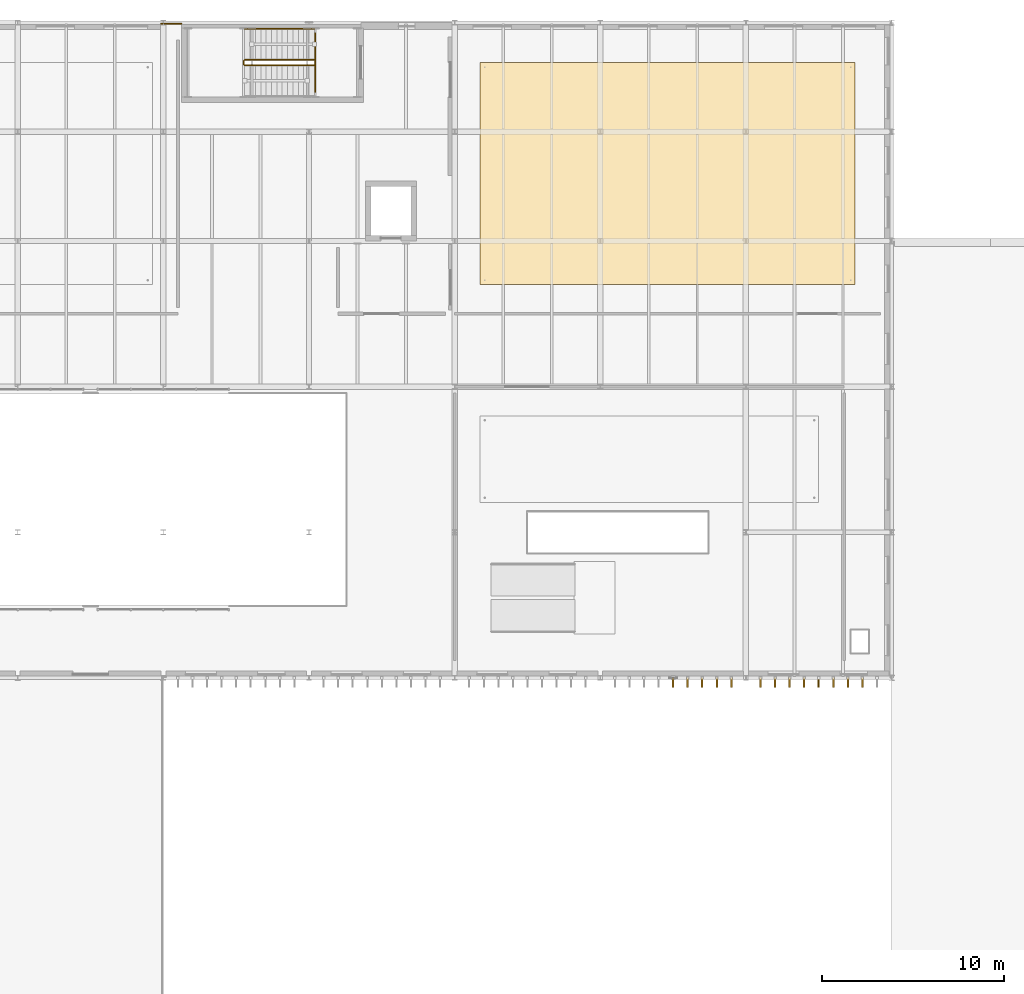
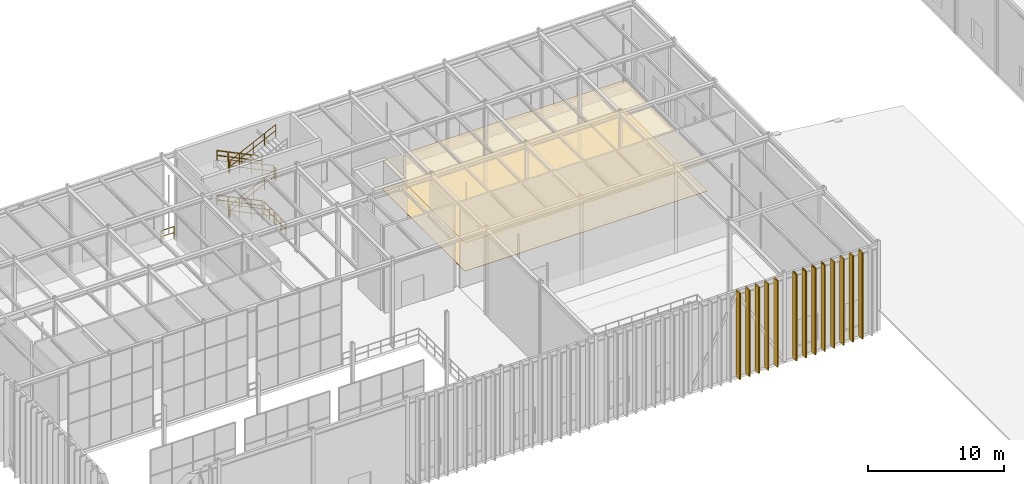
# One storey, part 132 of 138: 15 coverings, 13 railings, 13 shading devices.
"""IFC4 building model written with IfcOpenShell, lengths in metres."""

from ifc_helpers import new_model, si_unit, direction, frame, origin, origin_2d, place, context, subcontext, project, spatial, polyline, rectangle, circle, outline, extrude, material, layer, layer_set, type_object, element, save


model = new_model("IFC4")

# Units and contexts
model_context = context("Model", 3, precision=1e-05, world=origin(), true_north=direction((0.0, 1.0)))
body_context = subcontext(model_context, "Body", "Model", "MODEL_VIEW")
ifc_project = project(units=[si_unit("LENGTHUNIT", "METRE"), si_unit("AREAUNIT", "SQUARE_METRE"), si_unit("VOLUMEUNIT", "CUBIC_METRE"), si_unit("PLANEANGLEUNIT", "RADIAN"), si_unit("MASSUNIT", "GRAM", prefix="KILO")], contexts=[model_context])

# Site, building, storey
site_placement = place(None, origin())
site = spatial("IfcSite", under=ifc_project, at=site_placement, CompositionType="ELEMENT")
building_placement = place(site_placement, origin())
building = spatial("IfcBuilding", under=site, at=building_placement, Name="Sundkrona Museum", CompositionType="ELEMENT")
storey_placement = place(building_placement, frame((0.0, 0.0, 9.60009765625)))
storey = spatial("IfcBuildingStorey", under=building, at=storey_placement, Name="L02", CompositionType="ELEMENT", Elevation=9.60009765625)

# Coverings
ifc_material_1 = material(Name="Perforated Acoustic Gypsum and Mineral Wool Ceiling", Category="other")
ifc_layer_1 = layer(ifc_material_1, 0.0400390625)
ifc_layer_set_1 = layer_set([ifc_layer_1], Name="Perforated Acoustic Gypsum and Mineral Wool Ceiling")
covering_type_1 = type_object("IfcCoveringType", Name="COV-CEIL-AC", PredefinedType="CEILING", material=ifc_layer_set_1)
covering_1_placement = place(storey_placement, frame((0.0, 0.0, 2.5498046875)))
element("IfcCovering", 1, at=covering_1_placement, inside=storey, type_object=covering_type_1, Name="L02 Tapestry and Textile Gallery Acoustic Ceiling", PredefinedType="CEILING", context=body_context, shape_type="SweptSolid", body=[
    extrude(outline(polyline([(57.39990234375, 99.60009765625), (78.0, 99.60009765625), (78.0, 111.800048828125), (57.39990234375, 111.800048828125), (57.39990234375, 99.60009765625)])), origin(), (0.0, 0.0, 1.0), 0.0400390625),
])
ifc_material_2 = material(Name="Frost-Resistant Vitrified Stoneware Mosaic Cladding", Category="masonry")
ifc_layer_2 = layer(ifc_material_2, 0.044921875)
ifc_layer_set_2 = layer_set([ifc_layer_2], Name="Frost-Resistant Vitrified Stoneware Mosaic Cladding")
covering_type_2 = type_object("IfcCoveringType", Name="COV-CLD-MOS", PredefinedType="CLADDING", material=ifc_layer_set_2)
for number, where, z_axis, x_axis, name in (
    (2, (68.0, 77.7451171875, 0.0), (0.0, 0.0, 1.0), (1.0, 0.0, 0.0), "L02 Vitrified Ceramic Brise-Soleil Casing S-095"),
    (3, (68.800048828125, 77.7451171875, 0.0), (0.0, 0.0, 1.0), (1.0, 0.0, 0.0), "L02 Vitrified Ceramic Brise-Soleil Casing S-096"),
    (4, (69.60009765625, 77.7451171875, 0.0), (0.0, 0.0, 1.0), (1.0, 0.0, 0.0), "L02 Vitrified Ceramic Brise-Soleil Casing S-097"),
    (5, (70.39990234375, 77.7451171875, 0.0), (0.0, 0.0, 1.0), (1.0, 0.0, 0.0), "L02 Vitrified Ceramic Brise-Soleil Casing S-098"),
    (6, (71.199951171875, 77.7451171875, 0.0), (0.0, 0.0, 1.0), (1.0, 0.0, 0.0), "L02 Vitrified Ceramic Brise-Soleil Casing S-099"),
    (7, (72.800048828125, 77.7451171875, 0.0), (0.0, 0.0, 1.0), (1.0, 0.0, 0.0), "L02 Vitrified Ceramic Brise-Soleil Casing S-100"),
    (8, (73.60009765625, 77.7451171875, 0.0), (0.0, 0.0, 1.0), (1.0, 0.0, 0.0), "L02 Vitrified Ceramic Brise-Soleil Casing S-101"),
    (9, (74.39990234375, 77.7451171875, 0.0), (0.0, 0.0, 1.0), (1.0, 0.0, 0.0), "L02 Vitrified Ceramic Brise-Soleil Casing S-102"),
    (10, (75.199951171875, 77.7451171875, 0.0), (0.0, 0.0, 1.0), (1.0, 0.0, 0.0), "L02 Vitrified Ceramic Brise-Soleil Casing S-103"),
    (11, (76.0, 77.7451171875, 0.0), (0.0, 0.0, 1.0), (1.0, 0.0, 0.0), "L02 Vitrified Ceramic Brise-Soleil Casing S-104"),
    (12, (76.800048828125, 77.7451171875, 0.0), (0.0, 0.0, 1.0), (1.0, 0.0, 0.0), "L02 Vitrified Ceramic Brise-Soleil Casing S-105"),
    (13, (77.60009765625, 77.7451171875, 0.0), (0.0, 0.0, 1.0), (1.0, 0.0, 0.0), "L02 Vitrified Ceramic Brise-Soleil Casing S-106"),
    (14, (78.39990234375, 77.7451171875, 0.0), (0.0, 0.0, 1.0), (1.0, 0.0, 0.0), "L02 Vitrified Ceramic Brise-Soleil Casing S-107"),
):
    element("IfcCovering", number, at=place(storey_placement, frame(where, z_axis=z_axis, x_axis=x_axis)), inside=storey, type_object=covering_type_2, Name=name, PredefinedType="CLADDING", context=body_context, shape_type="SweptSolid", body=[
        extrude(rectangle(XDim=0.110107421875, YDim=0.530029296875, at=origin_2d()), origin(), (0.0, 0.0, 1.0), 7.760009765625),
    ])
ifc_material_3 = material(Name="Polished Scanian Limestone Terrazzo Flooring", Category="masonry")
ifc_layer_3 = layer(ifc_material_3, 0.034912109375)
ifc_layer_set_3 = layer_set([ifc_layer_3], Name="Polished Scanian Limestone Terrazzo Flooring")
covering_type_3 = type_object("IfcCoveringType", Name="COV-FLR-TZ", PredefinedType="FLOORING", material=ifc_layer_set_3)
covering_2_placement = place(storey_placement, origin())
element("IfcCovering", 15, at=covering_2_placement, inside=storey, type_object=covering_type_3, Name="L02 Tapestry and Textile Gallery Terrazzo Flooring", PredefinedType="FLOORING", context=body_context, shape_type="SweptSolid", body=[
    extrude(outline(polyline([(57.39990234375, 99.60009765625), (78.0, 99.60009765625), (78.0, 111.800048828125), (57.39990234375, 111.800048828125), (57.39990234375, 99.60009765625)])), origin(), (0.0, 0.0, 1.0), 0.034912109375),
])

# Shading devices
ifc_material_4 = material(Name="Vitrified Stoneware Ceramic on Galvanised Steel Core", Category="masonry")
ifc_layer_4 = layer(ifc_material_4, 0.080078125)
ifc_layer_set_4 = layer_set([ifc_layer_4], Name="Vitrified Stoneware Ceramic on Galvanised Steel Core")
shading_device_type = type_object("IfcShadingDeviceType", Name="FIN-CER-520", PredefinedType="USERDEFINED", material=ifc_layer_set_4)
for number, where, z_axis, x_axis, name in (
    (16, (68.0, 77.739990234375, 0.0), (0.0, 0.0, 1.0), (1.0, 0.0, 0.0), "L02 Ceramic Brise-Soleil Fin S-095"),
    (17, (68.800048828125, 77.739990234375, 0.0), (0.0, 0.0, 1.0), (1.0, 0.0, 0.0), "L02 Ceramic Brise-Soleil Fin S-096"),
    (18, (69.60009765625, 77.739990234375, 0.0), (0.0, 0.0, 1.0), (1.0, 0.0, 0.0), "L02 Ceramic Brise-Soleil Fin S-097"),
    (19, (70.39990234375, 77.739990234375, 0.0), (0.0, 0.0, 1.0), (1.0, 0.0, 0.0), "L02 Ceramic Brise-Soleil Fin S-098"),
    (20, (71.199951171875, 77.739990234375, 0.0), (0.0, 0.0, 1.0), (1.0, 0.0, 0.0), "L02 Ceramic Brise-Soleil Fin S-099"),
    (21, (72.800048828125, 77.739990234375, 0.0), (0.0, 0.0, 1.0), (1.0, 0.0, 0.0), "L02 Ceramic Brise-Soleil Fin S-100"),
    (22, (73.60009765625, 77.739990234375, 0.0), (0.0, 0.0, 1.0), (1.0, 0.0, 0.0), "L02 Ceramic Brise-Soleil Fin S-101"),
    (23, (74.39990234375, 77.739990234375, 0.0), (0.0, 0.0, 1.0), (1.0, 0.0, 0.0), "L02 Ceramic Brise-Soleil Fin S-102"),
    (24, (75.199951171875, 77.739990234375, 0.0), (0.0, 0.0, 1.0), (1.0, 0.0, 0.0), "L02 Ceramic Brise-Soleil Fin S-103"),
    (25, (76.0, 77.739990234375, 0.0), (0.0, 0.0, 1.0), (1.0, 0.0, 0.0), "L02 Ceramic Brise-Soleil Fin S-104"),
    (26, (76.800048828125, 77.739990234375, 0.0), (0.0, 0.0, 1.0), (1.0, 0.0, 0.0), "L02 Ceramic Brise-Soleil Fin S-105"),
    (27, (77.60009765625, 77.739990234375, 0.0), (0.0, 0.0, 1.0), (1.0, 0.0, 0.0), "L02 Ceramic Brise-Soleil Fin S-106"),
    (28, (78.39990234375, 77.739990234375, 0.0), (0.0, 0.0, 1.0), (1.0, 0.0, 0.0), "L02 Ceramic Brise-Soleil Fin S-107"),
):
    element("IfcShadingDevice", number, at=place(storey_placement, frame(where, z_axis=z_axis, x_axis=x_axis)), inside=storey, type_object=shading_device_type, Name=name, ObjectType="SOLAR FIN", PredefinedType="USERDEFINED", context=body_context, shape_type="SweptSolid", body=[
        extrude(rectangle(XDim=0.080078125, YDim=0.52001953125, at=origin_2d()), origin(), (0.0, 0.0, 1.0), 7.760009765625),
    ])

# Railings
ifc_material_5 = material(Name="Painted Steel S355J2 and Laminated Glass Balustrade", Category="steel")
railing_type_1 = type_object("IfcRailingType", Name="RL-GUARD-1100", PredefinedType="BALUSTRADE", material=ifc_material_5)
railing_1_placement = place(storey_placement, frame((48.300048828125, 111.949951171875, 0.142822265625)))
element("IfcRailing", 29, at=railing_1_placement, inside=storey, type_object=railing_type_1, Name="L02 ST-3 stair guard 1", PredefinedType="BALUSTRADE", context=body_context, shape_type="SweptSolid", body=[
    extrude(circle(Radius=0.02392578125, at=origin_2d()), frame((0.0, 0.0, 1.076171875), z_axis=(-0.900016444443, 0.0, 0.435855939195), x_axis=(0.0, -1.0, 0.0)), (0.0, 0.0, 1.0), 4.260986328125),
    extrude(circle(Radius=0.02392578125, at=origin_2d()), frame((0.0, 0.0, 0.550048828125), z_axis=(-0.900016444443, 0.0, 0.435855939195), x_axis=(0.0, -1.0, 0.0)), (0.0, 0.0, 1.0), 4.260986328125),
    extrude(circle(Radius=0.02099609375, at=origin_2d()), origin(), (0.0, 0.0, 1.0), 1.052001953125),
    extrude(circle(Radius=0.02099609375, at=origin_2d()), frame((-0.958740234375, 0.0, 0.46435546875)), (0.0, 0.0, 1.0), 1.052001953125),
    extrude(circle(Radius=0.02099609375, at=origin_2d()), frame((-1.91748046875, 0.0, 0.9287109375)), (0.0, 0.0, 1.0), 1.052001953125),
    extrude(circle(Radius=0.02099609375, at=origin_2d()), frame((-2.876220703125, 0.0, 1.392822265625)), (0.0, 0.0, 1.0), 1.052001953125),
    extrude(circle(Radius=0.02099609375, at=origin_2d()), frame((-3.8349609375, 0.0, 1.857177734375)), (0.0, 0.0, 1.0), 1.052001953125),
])
railing_2_placement = place(storey_placement, frame((44.4150390625, 111.89990234375, 2.0)))
element("IfcRailing", 30, at=railing_2_placement, inside=storey, type_object=railing_type_1, Name="L02 ST-3 stair guard 2", PredefinedType="BALUSTRADE", context=body_context, shape_type="SweptSolid", body=[
    extrude(circle(Radius=0.02392578125, at=origin_2d()), frame((0.0, 0.0, 1.076171875), z_axis=(0.0, -1.0, 0.0), x_axis=(1.0, 0.0, 0.0)), (0.0, 0.0, 1.0), 0.199951171875),
    extrude(circle(Radius=0.02392578125, at=origin_2d()), frame((0.0, 0.0, 0.550048828125), z_axis=(0.0, -1.0, 0.0), x_axis=(1.0, 0.0, 0.0)), (0.0, 0.0, 1.0), 0.199951171875),
    extrude(circle(Radius=0.02099609375, at=origin_2d()), origin(), (0.0, 0.0, 1.0), 1.052001953125),
    extrude(circle(Radius=0.02099609375, at=origin_2d()), frame((0.0, -0.199951171875, 0.0)), (0.0, 0.0, 1.0), 1.052001953125),
])
railing_3_placement = place(storey_placement, frame((44.465087890625, 111.64990234375, 2.142822265625)))
element("IfcRailing", 31, at=railing_3_placement, inside=storey, type_object=railing_type_1, Name="L02 ST-3 stair guard 3", PredefinedType="BALUSTRADE", context=body_context, shape_type="SweptSolid", body=[
    extrude(circle(Radius=0.02392578125, at=origin_2d()), frame((0.0, 0.0, 1.076171875), z_axis=(0.900016444443, 0.0, 0.435855939195), x_axis=(0.0, 1.0, 0.0)), (0.0, 0.0, 1.0), 4.260986328125),
    extrude(circle(Radius=0.02392578125, at=origin_2d()), frame((0.0, 0.0, 0.550048828125), z_axis=(0.900016444443, 0.0, 0.435855939195), x_axis=(0.0, 1.0, 0.0)), (0.0, 0.0, 1.0), 4.260986328125),
    extrude(circle(Radius=0.02099609375, at=origin_2d()), origin(), (0.0, 0.0, 1.0), 1.052001953125),
    extrude(circle(Radius=0.02099609375, at=origin_2d()), frame((0.958740234375, 0.0, 0.46435546875)), (0.0, 0.0, 1.0), 1.052001953125),
    extrude(circle(Radius=0.02099609375, at=origin_2d()), frame((1.91748046875, 0.0, 0.9287109375)), (0.0, 0.0, 1.0), 1.052001953125),
    extrude(circle(Radius=0.02099609375, at=origin_2d()), frame((2.876220703125, 0.0, 1.392822265625)), (0.0, 0.0, 1.0), 1.052001953125),
    extrude(circle(Radius=0.02099609375, at=origin_2d()), frame((3.8349609375, 0.0, 1.857177734375)), (0.0, 0.0, 1.0), 1.052001953125),
])
railing_4_placement = place(storey_placement, frame((48.35009765625, 111.89990234375, 4.0)))
element("IfcRailing", 32, at=railing_4_placement, inside=storey, type_object=railing_type_1, Name="L02 ST-3 stair guard 4", PredefinedType="BALUSTRADE", context=body_context, shape_type="SweptSolid", body=[
    extrude(circle(Radius=0.02392578125, at=origin_2d()), frame((0.0, 0.0, 1.076171875), z_axis=(0.0, -1.0, 0.0), x_axis=(1.0, 0.0, 0.0)), (0.0, 0.0, 1.0), 0.199951171875),
    extrude(circle(Radius=0.02392578125, at=origin_2d()), frame((0.0, 0.0, 0.550048828125), z_axis=(0.0, -1.0, 0.0), x_axis=(1.0, 0.0, 0.0)), (0.0, 0.0, 1.0), 0.199951171875),
    extrude(circle(Radius=0.02099609375, at=origin_2d()), origin(), (0.0, 0.0, 1.0), 1.052001953125),
    extrude(circle(Radius=0.02099609375, at=origin_2d()), frame((0.0, -0.199951171875, 0.0)), (0.0, 0.0, 1.0), 1.052001953125),
])
railing_5_placement = place(storey_placement, frame((48.300048828125, 111.949951171875, 4.142822265625)))
element("IfcRailing", 33, at=railing_5_placement, inside=storey, type_object=railing_type_1, Name="L02 ST-3 stair guard 5", PredefinedType="BALUSTRADE", context=body_context, shape_type="SweptSolid", body=[
    extrude(circle(Radius=0.02392578125, at=origin_2d()), frame((0.0, 0.0, 1.076171875), z_axis=(-0.900016444443, 0.0, 0.435855939195), x_axis=(0.0, -1.0, 0.0)), (0.0, 0.0, 1.0), 4.260986328125),
    extrude(circle(Radius=0.02392578125, at=origin_2d()), frame((0.0, 0.0, 0.550048828125), z_axis=(-0.900016444443, 0.0, 0.435855939195), x_axis=(0.0, -1.0, 0.0)), (0.0, 0.0, 1.0), 4.260986328125),
    extrude(circle(Radius=0.02099609375, at=origin_2d()), origin(), (0.0, 0.0, 1.0), 1.052001953125),
    extrude(circle(Radius=0.02099609375, at=origin_2d()), frame((-0.958740234375, 0.0, 0.46435546875)), (0.0, 0.0, 1.0), 1.052001953125),
    extrude(circle(Radius=0.02099609375, at=origin_2d()), frame((-1.91748046875, 0.0, 0.9287109375)), (0.0, 0.0, 1.0), 1.052001953125),
    extrude(circle(Radius=0.02099609375, at=origin_2d()), frame((-2.876220703125, 0.0, 1.392822265625)), (0.0, 0.0, 1.0), 1.052001953125),
    extrude(circle(Radius=0.02099609375, at=origin_2d()), frame((-3.8349609375, 0.0, 1.857177734375)), (0.0, 0.0, 1.0), 1.052001953125),
])
railing_6_placement = place(storey_placement, frame((44.4150390625, 111.89990234375, 6.0)))
element("IfcRailing", 34, at=railing_6_placement, inside=storey, type_object=railing_type_1, Name="L02 ST-3 stair guard 6", PredefinedType="BALUSTRADE", context=body_context, shape_type="SweptSolid", body=[
    extrude(circle(Radius=0.02392578125, at=origin_2d()), frame((0.0, 0.0, 1.076171875), z_axis=(0.0, -1.0, 0.0), x_axis=(1.0, 0.0, 0.0)), (0.0, 0.0, 1.0), 0.199951171875),
    extrude(circle(Radius=0.02392578125, at=origin_2d()), frame((0.0, 0.0, 0.550048828125), z_axis=(0.0, -1.0, 0.0), x_axis=(1.0, 0.0, 0.0)), (0.0, 0.0, 1.0), 0.199951171875),
    extrude(circle(Radius=0.02099609375, at=origin_2d()), origin(), (0.0, 0.0, 1.0), 1.052001953125),
    extrude(circle(Radius=0.02099609375, at=origin_2d()), frame((0.0, -0.199951171875, 0.0)), (0.0, 0.0, 1.0), 1.052001953125),
])
railing_7_placement = place(storey_placement, frame((44.465087890625, 111.64990234375, 6.142822265625)))
element("IfcRailing", 35, at=railing_7_placement, inside=storey, type_object=railing_type_1, Name="L02 ST-3 stair guard 7", PredefinedType="BALUSTRADE", context=body_context, shape_type="SweptSolid", body=[
    extrude(circle(Radius=0.02392578125, at=origin_2d()), frame((0.0, 0.0, 1.076171875), z_axis=(0.900016444443, 0.0, 0.435855939195), x_axis=(0.0, 1.0, 0.0)), (0.0, 0.0, 1.0), 4.260986328125),
    extrude(circle(Radius=0.02392578125, at=origin_2d()), frame((0.0, 0.0, 0.550048828125), z_axis=(0.900016444443, 0.0, 0.435855939195), x_axis=(0.0, 1.0, 0.0)), (0.0, 0.0, 1.0), 4.260986328125),
    extrude(circle(Radius=0.02099609375, at=origin_2d()), origin(), (0.0, 0.0, 1.0), 1.052001953125),
    extrude(circle(Radius=0.02099609375, at=origin_2d()), frame((0.958740234375, 0.0, 0.46435546875)), (0.0, 0.0, 1.0), 1.052001953125),
    extrude(circle(Radius=0.02099609375, at=origin_2d()), frame((1.91748046875, 0.0, 0.9287109375)), (0.0, 0.0, 1.0), 1.052001953125),
    extrude(circle(Radius=0.02099609375, at=origin_2d()), frame((2.876220703125, 0.0, 1.392822265625)), (0.0, 0.0, 1.0), 1.052001953125),
    extrude(circle(Radius=0.02099609375, at=origin_2d()), frame((3.8349609375, 0.0, 1.857177734375)), (0.0, 0.0, 1.0), 1.052001953125),
])
railing_8_placement = place(storey_placement, frame((48.35009765625, 111.89990234375, 0.0)))
element("IfcRailing", 36, at=railing_8_placement, inside=storey, type_object=railing_type_1, Name="L02 ST-3 stair guard 8", PredefinedType="BALUSTRADE", context=body_context, shape_type="SweptSolid", body=[
    extrude(circle(Radius=0.02392578125, at=origin_2d()), frame((0.0, 0.0, 1.076171875), z_axis=(0.0, -1.0, 0.0), x_axis=(1.0, 0.0, 0.0)), (0.0, 0.0, 1.0), 0.199951171875),
    extrude(circle(Radius=0.02392578125, at=origin_2d()), frame((0.0, 0.0, 0.550048828125), z_axis=(0.0, -1.0, 0.0), x_axis=(1.0, 0.0, 0.0)), (0.0, 0.0, 1.0), 0.199951171875),
    extrude(circle(Radius=0.02099609375, at=origin_2d()), origin(), (0.0, 0.0, 1.0), 1.052001953125),
    extrude(circle(Radius=0.02099609375, at=origin_2d()), frame((0.0, -0.199951171875, 0.0)), (0.0, 0.0, 1.0), 1.052001953125),
])
railing_9_placement = place(storey_placement, frame((39.867919921875, 113.93994140625, 0.0)))
element("IfcRailing", 37, at=railing_9_placement, inside=storey, type_object=railing_type_1, Name="L02 Edge Protection Balustrade 013", PredefinedType="BALUSTRADE", context=body_context, shape_type="SweptSolid", body=[
    extrude(circle(Radius=0.02392578125, at=origin_2d()), frame((0.0, 0.0, 1.09619140625), z_axis=(1.0, 0.0, 0.0), x_axis=(0.0, 1.0, 0.0)), (0.0, 0.0, 1.0), 1.132080078125),
    extrude(circle(Radius=0.02392578125, at=origin_2d()), frame((0.0, 0.0, 0.56005859375), z_axis=(1.0, 0.0, 0.0), x_axis=(0.0, 1.0, 0.0)), (0.0, 0.0, 1.0), 1.132080078125),
    extrude(circle(Radius=0.02099609375, at=origin_2d()), origin(), (0.0, 0.0, 1.0), 1.072021484375),
    extrude(circle(Radius=0.02099609375, at=origin_2d()), frame((1.132080078125, 0.0, 0.0)), (0.0, 0.0, 1.0), 1.072021484375),
])
for number, where, name in (
    (38, (48.3349609375, 110.179931640625, 0.0), "L02 Edge Protection Balustrade 016"),
    (39, (48.3349609375, 111.89990234375, 0.0), "L02 Edge Protection Balustrade 017"),
):
    element("IfcRailing", number, at=place(storey_placement, frame(where)), inside=storey, type_object=railing_type_1, Name=name, PredefinedType="BALUSTRADE", context=body_context, shape_type="SweptSolid", body=[
        extrude(circle(Radius=0.02392578125, at=origin_2d()), frame((0.0, 0.0, 1.09619140625), z_axis=(0.0, 1.0, 0.0), x_axis=(-1.0, 0.0, 0.0)), (0.0, 0.0, 1.0), 1.52001953125),
        extrude(circle(Radius=0.02392578125, at=origin_2d()), frame((0.0, 0.0, 0.56005859375), z_axis=(0.0, 1.0, 0.0), x_axis=(-1.0, 0.0, 0.0)), (0.0, 0.0, 1.0), 1.52001953125),
        extrude(circle(Radius=0.02099609375, at=origin_2d()), origin(), (0.0, 0.0, 1.0), 1.072021484375),
        extrude(circle(Radius=0.02099609375, at=origin_2d()), frame((0.0, 0.760009765625, 0.0)), (0.0, 0.0, 1.0), 1.072021484375),
        extrude(circle(Radius=0.02099609375, at=origin_2d()), frame((0.0, 1.52001953125, 0.0)), (0.0, 0.0, 1.0), 1.072021484375),
    ])
ifc_material_6 = material(Name="Brushed Bronze-Clad Steel Handrail", Category="steel")
railing_type_2 = type_object("IfcRailingType", Name="RL-HAND-900", PredefinedType="HANDRAIL", material=ifc_material_6)
for number, where, name in (
    (40, (48.300048828125, 113.64990234375, 0.142822265625), "L02 ST-3 stair handrail 1"),
    (41, (48.300048828125, 113.64990234375, 4.142822265625), "L02 ST-3 stair handrail 3"),
):
    element("IfcRailing", number, at=place(storey_placement, frame(where)), inside=storey, type_object=railing_type_2, Name=name, PredefinedType="HANDRAIL", context=body_context, shape_type="SweptSolid", body=[
        extrude(circle(Radius=0.02392578125, at=origin_2d()), frame((0.0, 0.0, 0.8759765625), z_axis=(-0.900016444443, 0.0, 0.435855939195), x_axis=(0.0, -1.0, 0.0)), (0.0, 0.0, 1.0), 4.260986328125),
        extrude(circle(Radius=0.02392578125, at=origin_2d()), frame((0.0, 0.0, 0.449951171875), z_axis=(-0.900016444443, 0.0, 0.435855939195), x_axis=(0.0, -1.0, 0.0)), (0.0, 0.0, 1.0), 4.260986328125),
        extrude(circle(Radius=0.02099609375, at=origin_2d()), origin(), (0.0, 0.0, 1.0), 0.851806640625),
        extrude(circle(Radius=0.02099609375, at=origin_2d()), frame((-0.958740234375, 0.0, 0.46435546875)), (0.0, 0.0, 1.0), 0.851806640625),
        extrude(circle(Radius=0.02099609375, at=origin_2d()), frame((-1.91748046875, 0.0, 0.9287109375)), (0.0, 0.0, 1.0), 0.851806640625),
        extrude(circle(Radius=0.02099609375, at=origin_2d()), frame((-2.876220703125, 0.0, 1.392822265625)), (0.0, 0.0, 1.0), 0.851806640625),
        extrude(circle(Radius=0.02099609375, at=origin_2d()), frame((-3.8349609375, 0.0, 1.857177734375)), (0.0, 0.0, 1.0), 0.851806640625),
    ])

save(model, "model.ifc")
